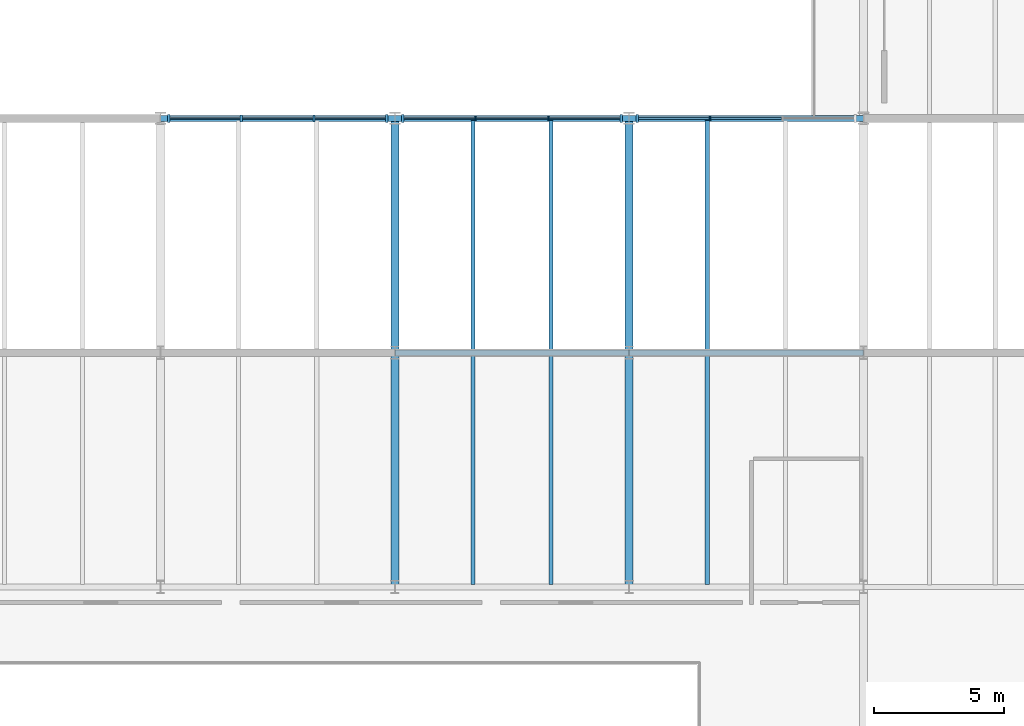
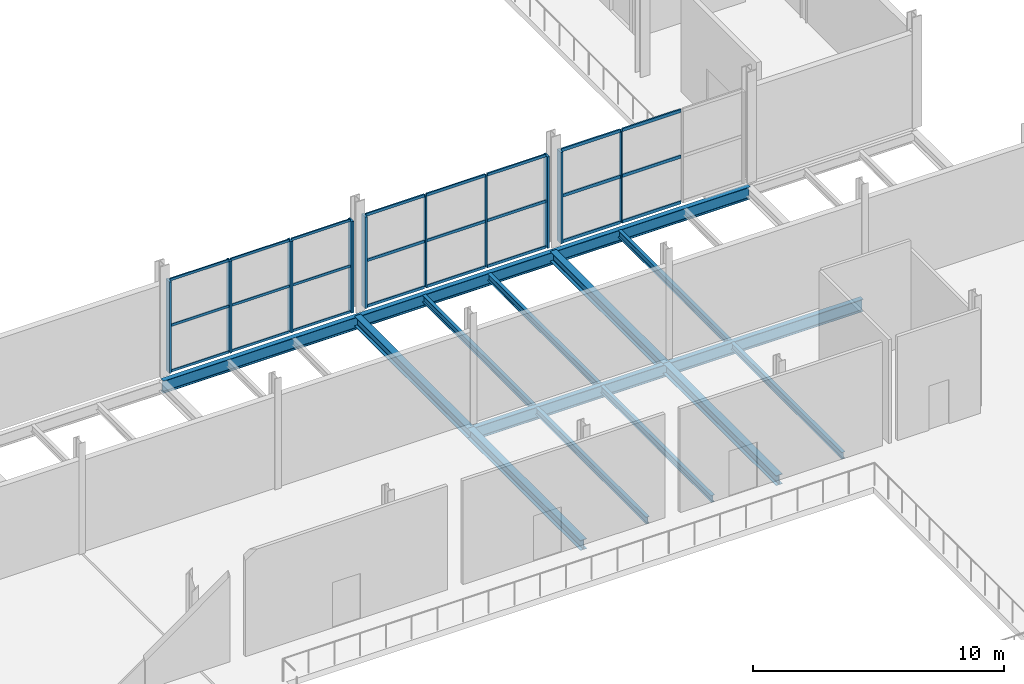
# One storey, part 35 of 78: 34 members, 15 beams, 3 elements without a shape of their own.
"""IFC4 building model written with IfcOpenShell, lengths in metres."""

from ifc_helpers import new_model, si_unit, direction, frame, origin, origin_2d, place, context, subcontext, project, spatial, rectangle, i_section, extrude, material, layer, layer_set, material_profile, profile_set, type_object, element, aggregate, save


model = new_model("IFC4")

# Units and contexts
model_context = context("Model", 3, precision=1e-05, world=origin(), true_north=direction((0.0, 1.0)))
body_context = subcontext(model_context, "Body", "Model", "MODEL_VIEW")
ifc_project = project(units=[si_unit("LENGTHUNIT", "METRE"), si_unit("AREAUNIT", "SQUARE_METRE"), si_unit("VOLUMEUNIT", "CUBIC_METRE"), si_unit("PLANEANGLEUNIT", "RADIAN"), si_unit("MASSUNIT", "GRAM", prefix="KILO")], contexts=[model_context])

# Site, building, storey
site_placement = place(None, origin())
site = spatial("IfcSite", under=ifc_project, at=site_placement, CompositionType="ELEMENT")
building_placement = place(site_placement, origin())
building = spatial("IfcBuilding", under=site, at=building_placement, Name="Sefraquen Railside Congress Hotel", CompositionType="ELEMENT")
storey_placement = place(building_placement, frame((0.0, 0.0, 6.0)))
storey = spatial("IfcBuildingStorey", under=building, at=storey_placement, Name="L01", CompositionType="ELEMENT", Elevation=6.0)

# Beams
ifc_material_1 = material(Name="Steel S355JR", Category="steel")
ifc_material_profile_1 = material_profile(ifc_material_1, i_section(OverallWidth=0.300048828125, OverallDepth=0.489990234375, WebThickness=0.011962890625, FlangeThickness=0.02294921875, FilletRadius=0.027099609375, at=origin_2d()), Name="HEA 500")
ifc_profile_set_1 = profile_set([ifc_material_profile_1], Name="Steel S355JR")
beam_type_1 = type_object("IfcBeamType", Name="TB-GIR-500", PredefinedType="T_BEAM", material=ifc_profile_set_1)
for number, where, z_axis, x_axis, name in (
    (1, (146.39990234375, 36.0, -0.544921875), (0.0, 1.0, 0.0), (-1.0, 0.0, 0.0), "Floor beam BM-L01-0650"),
    (2, (146.39990234375, 45.0, -0.544921875), (0.0, 1.0, 0.0), (-1.0, 0.0, 0.0), "Floor beam BM-L01-0651"),
    (3, (155.39990234375, 36.0, -0.544921875), (0.0, 1.0, 0.0), (-1.0, 0.0, 0.0), "Floor beam BM-L01-0653"),
    (4, (155.39990234375, 45.0, -0.544921875), (0.0, 1.0, 0.0), (-1.0, 0.0, 0.0), "Floor beam BM-L01-0654"),
):
    element("IfcBeam", number, at=place(storey_placement, frame(where, z_axis=z_axis, x_axis=x_axis)), inside=storey, type_object=beam_type_1, Name=name, PredefinedType="T_BEAM", context=body_context, shape_type="SweptSolid", body=[
        extrude(i_section(OverallWidth=0.300048828125, OverallDepth=0.489990234375, WebThickness=0.011962890625, FlangeThickness=0.02294921875, FilletRadius=0.027099609375, at=origin_2d()), origin(), (0.0, 0.0, 1.0), 9.0),
    ])
ifc_material_profile_2 = material_profile(ifc_material_1, i_section(OverallWidth=0.219970703125, OverallDepth=0.60009765625, WebThickness=0.011962890625, FlangeThickness=0.01904296875, FilletRadius=0.02392578125, at=origin_2d()), Name="IPE 600")
ifc_profile_set_2 = profile_set([ifc_material_profile_2], Name="Steel S355JR")
beam_type_2 = type_object("IfcBeamType", Name="TB-GIR-600", PredefinedType="T_BEAM", material=ifc_profile_set_2)
for number, where, z_axis, x_axis, name in (
    (5, (146.39990234375, 45.0, -0.60009765625), (1.0, 0.0, 0.0), (0.0, 1.0, 0.0), "Primary girder BM-L01-0389"),
    (6, (155.39990234375, 45.0, -0.60009765625), (1.0, 0.0, 0.0), (0.0, 1.0, 0.0), "Primary girder BM-L01-0390"),
    (7, (137.39990234375, 54.0, -0.60009765625), (1.0, 0.0, 0.0), (0.0, 1.0, 0.0), "Primary girder BM-L01-0406"),
    (8, (146.39990234375, 54.0, -0.60009765625), (1.0, 0.0, 0.0), (0.0, 1.0, 0.0), "Primary girder BM-L01-0407"),
    (9, (155.39990234375, 54.0, -0.60009765625), (1.0, 0.0, 0.0), (0.0, 1.0, 0.0), "Primary girder BM-L01-0408"),
):
    element("IfcBeam", number, at=place(storey_placement, frame(where, z_axis=z_axis, x_axis=x_axis)), inside=storey, type_object=beam_type_2, Name=name, PredefinedType="T_BEAM", context=body_context, shape_type="SweptSolid", body=[
        extrude(i_section(OverallWidth=0.219970703125, OverallDepth=0.60009765625, WebThickness=0.011962890625, FlangeThickness=0.01904296875, FilletRadius=0.02392578125, at=origin_2d()), origin(), (0.0, 0.0, 1.0), 9.0),
    ])
ifc_material_profile_3 = material_profile(ifc_material_1, i_section(OverallWidth=0.159912109375, OverallDepth=0.330078125, WebThickness=0.007568359375, FlangeThickness=0.011474609375, FilletRadius=0.01806640625, at=origin_2d()), Name="IPE 330")
ifc_profile_set_3 = profile_set([ifc_material_profile_3], Name="Steel S355JR")
beam_type_3 = type_object("IfcBeamType", Name="TB-JST-330", PredefinedType="JOIST", material=ifc_profile_set_3)
for number, where, z_axis, x_axis, name in (
    (10, (149.39990234375, 36.090087890625, -0.465087890625), (0.0, 1.0, 0.0), (-1.0, 0.0, 0.0), "Composite floor joist BM-L01-J0404"),
    (11, (152.39990234375, 36.090087890625, -0.465087890625), (0.0, 1.0, 0.0), (-1.0, 0.0, 0.0), "Composite floor joist BM-L01-J0405"),
    (12, (149.39990234375, 45.090087890625, -0.465087890625), (0.0, 1.0, 0.0), (-1.0, 0.0, 0.0), "Composite floor joist BM-L01-J0406"),
    (13, (152.39990234375, 45.090087890625, -0.465087890625), (0.0, 1.0, 0.0), (-1.0, 0.0, 0.0), "Composite floor joist BM-L01-J0407"),
    (14, (158.39990234375, 36.090087890625, -0.465087890625), (0.0, 1.0, 0.0), (-1.0, 0.0, 0.0), "Composite floor joist BM-L01-J0410"),
    (15, (158.39990234375, 45.090087890625, -0.465087890625), (0.0, 1.0, 0.0), (-1.0, 0.0, 0.0), "Composite floor joist BM-L01-J0412"),
):
    element("IfcBeam", number, at=place(storey_placement, frame(where, z_axis=z_axis, x_axis=x_axis)), inside=storey, type_object=beam_type_3, Name=name, PredefinedType="JOIST", context=body_context, shape_type="SweptSolid", body=[
        extrude(i_section(OverallWidth=0.159912109375, OverallDepth=0.330078125, WebThickness=0.007568359375, FlangeThickness=0.011474609375, FilletRadius=0.01806640625, at=origin_2d()), origin(), (0.0, 0.0, 1.0), 8.81982421875),
    ])

# Curtain wall, members
ifc_material_2 = material(Name="Thermally broken anodised aluminium and low-E double glazing", Category="aluminium")
ifc_layer_1 = layer(ifc_material_2, 0.199951171875)
ifc_layer_set_1 = layer_set([ifc_layer_1], Name="Thermally broken anodised aluminium and low-E double glazing")
curtain_wall_type_1 = type_object("IfcCurtainWallType", Name="TCW-UCW-18", PredefinedType="USERDEFINED", material=ifc_layer_set_1)
curtain_wall_1_placement = place(storey_placement, origin())
curtain_wall_1 = element("IfcCurtainWall", 16, at=curtain_wall_1_placement, inside=storey, type_object=curtain_wall_type_1, Name="Grand Ballroom L01 south curtain wall 3", ObjectType="UNITISED CURTAIN WALL", PredefinedType="USERDEFINED")
ifc_material_3 = material(Name="Thermally broken anodised aluminium 6063-T6", Category="aluminium")
ifc_material_profile_4 = material_profile(ifc_material_3, rectangle(XDim=0.06005859375, YDim=0.159912109375, at=origin_2d()), Name="CWM 60x160")
ifc_profile_set_4 = profile_set([ifc_material_profile_4], Name="Thermally broken anodised aluminium 6063-T6")
member_type_1 = type_object("IfcMemberType", Name="TM-CWM-01", PredefinedType="MULLION", material=ifc_profile_set_4)
member_1_placement = place(storey_placement, frame((149.50341796875, 54.0, 0.0), z_axis=(0.0, 0.0, 1.0), x_axis=(1.0, 0.0, 0.0)))
member_1 = element("IfcMember", 17, at=member_1_placement, type_object=member_type_1, Name="CW-L01-050 mullion 2", PredefinedType="MULLION", context=body_context, shape_type="SweptSolid", body=[
    extrude(rectangle(XDim=0.06005859375, YDim=0.159912109375, at=origin_2d()), origin(), (0.0, 0.0, 1.0), 4.449951171875),
])
member_2_placement = place(storey_placement, frame((152.296630859375, 54.0, 0.0), z_axis=(0.0, 0.0, 1.0), x_axis=(1.0, 0.0, 0.0)))
member_2 = element("IfcMember", 18, at=member_2_placement, type_object=member_type_1, Name="CW-L01-050 mullion 3", PredefinedType="MULLION", context=body_context, shape_type="SweptSolid", body=[
    extrude(rectangle(XDim=0.06005859375, YDim=0.159912109375, at=origin_2d()), origin(), (0.0, 0.0, 1.0), 4.449951171875),
])

# Curtain wall, member
ifc_layer_2 = layer(ifc_material_2, 0.199951171875)
ifc_layer_set_2 = layer_set([ifc_layer_2], Name="Thermally broken anodised aluminium and low-E double glazing")
curtain_wall_type_2 = type_object("IfcCurtainWallType", Name="TCW-UCW-19", PredefinedType="USERDEFINED", material=ifc_layer_set_2)
curtain_wall_2_placement = place(storey_placement, origin())
curtain_wall_2 = element("IfcCurtainWall", 19, at=curtain_wall_2_placement, inside=storey, type_object=curtain_wall_type_2, Name="Grand Ballroom L01 south curtain wall 4", ObjectType="UNITISED CURTAIN WALL", PredefinedType="USERDEFINED")
ifc_material_profile_5 = material_profile(ifc_material_3, rectangle(XDim=0.06494140625, YDim=0.179931640625, at=origin_2d()), Name="CWM 65x180")
ifc_profile_set_5 = profile_set([ifc_material_profile_5], Name="Thermally broken anodised aluminium 6063-T6")
member_type_2 = type_object("IfcMemberType", Name="TM-CWM-02", PredefinedType="MULLION", material=ifc_profile_set_5)
member_3_placement = place(storey_placement, frame((158.50341796875, 54.0, 0.0), z_axis=(0.0, 0.0, 1.0), x_axis=(1.0, 0.0, 0.0)))
member_3 = element("IfcMember", 20, at=member_3_placement, type_object=member_type_2, Name="CW-L01-051 mullion 2", PredefinedType="MULLION", context=body_context, shape_type="SweptSolid", body=[
    extrude(rectangle(XDim=0.06494140625, YDim=0.179931640625, at=origin_2d()), origin(), (0.0, 0.0, 1.0), 4.449951171875),
])

# Curtain wall, members
ifc_layer_3 = layer(ifc_material_2, 0.199951171875)
ifc_layer_set_3 = layer_set([ifc_layer_3], Name="Thermally broken anodised aluminium and low-E double glazing")
curtain_wall_type_3 = type_object("IfcCurtainWallType", Name="TCW-UCW-17", PredefinedType="USERDEFINED", material=ifc_layer_set_3)
curtain_wall_3_placement = place(storey_placement, origin())
curtain_wall_3 = element("IfcCurtainWall", 21, at=curtain_wall_3_placement, inside=storey, type_object=curtain_wall_type_3, Name="Grand Ballroom L01 south curtain wall 2", ObjectType="UNITISED CURTAIN WALL", PredefinedType="USERDEFINED")
ifc_material_profile_6 = material_profile(ifc_material_3, rectangle(XDim=0.090087890625, YDim=0.280029296875, at=origin_2d()), Name="CWM 90x280")
ifc_profile_set_6 = profile_set([ifc_material_profile_6], Name="Thermally broken anodised aluminium 6063-T6")
member_type_3 = type_object("IfcMemberType", Name="TM-CWM-07", PredefinedType="MULLION", material=ifc_profile_set_6)
member_4_placement = place(storey_placement, frame((140.50341796875, 54.0, 0.0), z_axis=(0.0, 0.0, 1.0), x_axis=(1.0, 0.0, 0.0)))
member_4 = element("IfcMember", 22, at=member_4_placement, type_object=member_type_3, Name="CW-L01-049 mullion 2", PredefinedType="MULLION", context=body_context, shape_type="SweptSolid", body=[
    extrude(rectangle(XDim=0.090087890625, YDim=0.280029296875, at=origin_2d()), origin(), (0.0, 0.0, 1.0), 4.449951171875),
])
member_5_placement = place(storey_placement, frame((143.296630859375, 54.0, 0.0), z_axis=(0.0, 0.0, 1.0), x_axis=(1.0, 0.0, 0.0)))
member_5 = element("IfcMember", 23, at=member_5_placement, type_object=member_type_3, Name="CW-L01-049 mullion 3", PredefinedType="MULLION", context=body_context, shape_type="SweptSolid", body=[
    extrude(rectangle(XDim=0.090087890625, YDim=0.280029296875, at=origin_2d()), origin(), (0.0, 0.0, 1.0), 4.449951171875),
])
ifc_material_profile_7 = material_profile(ifc_material_3, rectangle(XDim=0.094970703125, YDim=0.300048828125, at=origin_2d()), Name="CWM 95x300")
ifc_profile_set_7 = profile_set([ifc_material_profile_7], Name="Thermally broken anodised aluminium 6063-T6")
member_type_4 = type_object("IfcMemberType", Name="TM-CWM-08", PredefinedType="MULLION", material=ifc_profile_set_7)
member_6_placement = place(storey_placement, frame((137.7099609375, 54.0, 0.0), z_axis=(0.0, 0.0, 1.0), x_axis=(1.0, 0.0, 0.0)))
member_6 = element("IfcMember", 24, at=member_6_placement, type_object=member_type_4, Name="CW-L01-049 mullion 1", PredefinedType="MULLION", context=body_context, shape_type="SweptSolid", body=[
    extrude(rectangle(XDim=0.094970703125, YDim=0.300048828125, at=origin_2d()), origin(), (0.0, 0.0, 1.0), 4.449951171875),
])
member_7_placement = place(storey_placement, frame((146.090087890625, 54.0, 0.0), z_axis=(0.0, 0.0, 1.0), x_axis=(1.0, 0.0, 0.0)))
member_7 = element("IfcMember", 25, at=member_7_placement, type_object=member_type_4, Name="CW-L01-049 mullion 4", PredefinedType="MULLION", context=body_context, shape_type="SweptSolid", body=[
    extrude(rectangle(XDim=0.094970703125, YDim=0.300048828125, at=origin_2d()), origin(), (0.0, 0.0, 1.0), 4.449951171875),
])

# Member
member_8_placement = place(storey_placement, frame((146.7099609375, 54.0, 0.0), z_axis=(0.0, 0.0, 1.0), x_axis=(1.0, 0.0, 0.0)))
member_8 = element("IfcMember", 26, at=member_8_placement, type_object=member_type_4, Name="CW-L01-050 mullion 1", PredefinedType="MULLION", context=body_context, shape_type="SweptSolid", body=[
    extrude(rectangle(XDim=0.094970703125, YDim=0.300048828125, at=origin_2d()), origin(), (0.0, 0.0, 1.0), 4.449951171875),
])

member_9_placement = place(storey_placement, frame((155.090087890625, 54.0, 0.0), z_axis=(0.0, 0.0, 1.0), x_axis=(1.0, 0.0, 0.0)))
member_9 = element("IfcMember", 27, at=member_9_placement, type_object=member_type_4, Name="CW-L01-050 mullion 4", PredefinedType="MULLION", context=body_context, shape_type="SweptSolid", body=[
    extrude(rectangle(XDim=0.094970703125, YDim=0.300048828125, at=origin_2d()), origin(), (0.0, 0.0, 1.0), 4.449951171875),
])

member_10_placement = place(storey_placement, frame((155.7099609375, 54.0, 0.0), z_axis=(0.0, 0.0, 1.0), x_axis=(1.0, 0.0, 0.0)))
member_10 = element("IfcMember", 28, at=member_10_placement, type_object=member_type_4, Name="CW-L01-051 mullion 1", PredefinedType="MULLION", context=body_context, shape_type="SweptSolid", body=[
    extrude(rectangle(XDim=0.094970703125, YDim=0.300048828125, at=origin_2d()), origin(), (0.0, 0.0, 1.0), 4.449951171875),
])

ifc_material_profile_8 = material_profile(ifc_material_3, rectangle(XDim=0.06005859375, YDim=0.1201171875, at=origin_2d()), Name="CWT 60x120")
ifc_profile_set_8 = profile_set([ifc_material_profile_8], Name="Thermally broken anodised aluminium 6063-T6")
member_type_5 = type_object("IfcMemberType", Name="TM-CWT-01", PredefinedType="USERDEFINED", material=ifc_profile_set_8)
member_11_placement = place(storey_placement, frame((137.7548828125, 54.0, 0.0), z_axis=(1.0, 0.0, 0.0), x_axis=(0.0, 1.0, 0.0)))
member_11 = element("IfcMember", 29, at=member_11_placement, type_object=member_type_5, Name="CW-L01-049 transom 1.1", ObjectType="TRANSOM", PredefinedType="USERDEFINED", context=body_context, shape_type="SweptSolid", body=[
    extrude(rectangle(XDim=0.06005859375, YDim=0.1201171875, at=origin_2d()), origin(), (0.0, 0.0, 1.0), 2.703369140625),
])

member_12_placement = place(storey_placement, frame((140.54833984375, 54.0, 0.0), z_axis=(1.0, 0.0, 0.0), x_axis=(0.0, 1.0, 0.0)))
member_12 = element("IfcMember", 30, at=member_12_placement, type_object=member_type_5, Name="CW-L01-049 transom 1.2", ObjectType="TRANSOM", PredefinedType="USERDEFINED", context=body_context, shape_type="SweptSolid", body=[
    extrude(rectangle(XDim=0.06005859375, YDim=0.1201171875, at=origin_2d()), origin(), (0.0, 0.0, 1.0), 2.703369140625),
])

member_13_placement = place(storey_placement, frame((143.341796875, 54.0, 0.0), z_axis=(1.0, 0.0, 0.0), x_axis=(0.0, 1.0, 0.0)))
member_13 = element("IfcMember", 31, at=member_13_placement, type_object=member_type_5, Name="CW-L01-049 transom 1.3", ObjectType="TRANSOM", PredefinedType="USERDEFINED", context=body_context, shape_type="SweptSolid", body=[
    extrude(rectangle(XDim=0.06005859375, YDim=0.1201171875, at=origin_2d()), origin(), (0.0, 0.0, 1.0), 2.703125),
])

member_14_placement = place(storey_placement, frame((137.7548828125, 54.0, 2.22509765625), z_axis=(1.0, 0.0, 0.0), x_axis=(0.0, 1.0, 0.0)))
member_14 = element("IfcMember", 32, at=member_14_placement, type_object=member_type_5, Name="CW-L01-049 transom 2.1", ObjectType="TRANSOM", PredefinedType="USERDEFINED", context=body_context, shape_type="SweptSolid", body=[
    extrude(rectangle(XDim=0.06005859375, YDim=0.1201171875, at=origin_2d()), origin(), (0.0, 0.0, 1.0), 2.703369140625),
])

member_15_placement = place(storey_placement, frame((140.54833984375, 54.0, 2.22509765625), z_axis=(1.0, 0.0, 0.0), x_axis=(0.0, 1.0, 0.0)))
member_15 = element("IfcMember", 33, at=member_15_placement, type_object=member_type_5, Name="CW-L01-049 transom 2.2", ObjectType="TRANSOM", PredefinedType="USERDEFINED", context=body_context, shape_type="SweptSolid", body=[
    extrude(rectangle(XDim=0.06005859375, YDim=0.1201171875, at=origin_2d()), origin(), (0.0, 0.0, 1.0), 2.703369140625),
])

member_16_placement = place(storey_placement, frame((143.341796875, 54.0, 2.22509765625), z_axis=(1.0, 0.0, 0.0), x_axis=(0.0, 1.0, 0.0)))
member_16 = element("IfcMember", 34, at=member_16_placement, type_object=member_type_5, Name="CW-L01-049 transom 2.3", ObjectType="TRANSOM", PredefinedType="USERDEFINED", context=body_context, shape_type="SweptSolid", body=[
    extrude(rectangle(XDim=0.06005859375, YDim=0.1201171875, at=origin_2d()), origin(), (0.0, 0.0, 1.0), 2.703125),
])

member_17_placement = place(storey_placement, frame((137.7548828125, 54.0, 4.449951171875), z_axis=(1.0, 0.0, 0.0), x_axis=(0.0, 1.0, 0.0)))
member_17 = element("IfcMember", 35, at=member_17_placement, type_object=member_type_5, Name="CW-L01-049 transom 3.1", ObjectType="TRANSOM", PredefinedType="USERDEFINED", context=body_context, shape_type="SweptSolid", body=[
    extrude(rectangle(XDim=0.06005859375, YDim=0.1201171875, at=origin_2d()), origin(), (0.0, 0.0, 1.0), 2.703369140625),
])

member_18_placement = place(storey_placement, frame((140.54833984375, 54.0, 4.449951171875), z_axis=(1.0, 0.0, 0.0), x_axis=(0.0, 1.0, 0.0)))
member_18 = element("IfcMember", 36, at=member_18_placement, type_object=member_type_5, Name="CW-L01-049 transom 3.2", ObjectType="TRANSOM", PredefinedType="USERDEFINED", context=body_context, shape_type="SweptSolid", body=[
    extrude(rectangle(XDim=0.06005859375, YDim=0.1201171875, at=origin_2d()), origin(), (0.0, 0.0, 1.0), 2.703369140625),
])

member_19_placement = place(storey_placement, frame((143.341796875, 54.0, 4.449951171875), z_axis=(1.0, 0.0, 0.0), x_axis=(0.0, 1.0, 0.0)))
member_19 = element("IfcMember", 37, at=member_19_placement, type_object=member_type_5, Name="CW-L01-049 transom 3.3", ObjectType="TRANSOM", PredefinedType="USERDEFINED", context=body_context, shape_type="SweptSolid", body=[
    extrude(rectangle(XDim=0.06005859375, YDim=0.1201171875, at=origin_2d()), origin(), (0.0, 0.0, 1.0), 2.703125),
])

aggregate(curtain_wall_3, [member_6, member_4, member_5, member_7, member_11, member_12, member_13, member_14, member_15, member_16, member_17, member_18, member_19])

ifc_material_profile_9 = material_profile(ifc_material_3, rectangle(XDim=0.06494140625, YDim=0.135009765625, at=origin_2d()), Name="CWT 65x135")
ifc_profile_set_9 = profile_set([ifc_material_profile_9], Name="Thermally broken anodised aluminium 6063-T6")
member_type_6 = type_object("IfcMemberType", Name="TM-CWT-02", PredefinedType="USERDEFINED", material=ifc_profile_set_9)
member_20_placement = place(storey_placement, frame((146.7548828125, 54.0, 0.0), z_axis=(1.0, 0.0, 0.0), x_axis=(0.0, 1.0, 0.0)))
member_20 = element("IfcMember", 38, at=member_20_placement, type_object=member_type_6, Name="CW-L01-050 transom 1.1", ObjectType="TRANSOM", PredefinedType="USERDEFINED", context=body_context, shape_type="SweptSolid", body=[
    extrude(rectangle(XDim=0.06494140625, YDim=0.135009765625, at=origin_2d()), origin(), (0.0, 0.0, 1.0), 2.703369140625),
])

member_21_placement = place(storey_placement, frame((149.54833984375, 54.0, 0.0), z_axis=(1.0, 0.0, 0.0), x_axis=(0.0, 1.0, 0.0)))
member_21 = element("IfcMember", 39, at=member_21_placement, type_object=member_type_6, Name="CW-L01-050 transom 1.2", ObjectType="TRANSOM", PredefinedType="USERDEFINED", context=body_context, shape_type="SweptSolid", body=[
    extrude(rectangle(XDim=0.06494140625, YDim=0.135009765625, at=origin_2d()), origin(), (0.0, 0.0, 1.0), 2.703369140625),
])

member_22_placement = place(storey_placement, frame((152.341796875, 54.0, 0.0), z_axis=(1.0, 0.0, 0.0), x_axis=(0.0, 1.0, 0.0)))
member_22 = element("IfcMember", 40, at=member_22_placement, type_object=member_type_6, Name="CW-L01-050 transom 1.3", ObjectType="TRANSOM", PredefinedType="USERDEFINED", context=body_context, shape_type="SweptSolid", body=[
    extrude(rectangle(XDim=0.06494140625, YDim=0.135009765625, at=origin_2d()), origin(), (0.0, 0.0, 1.0), 2.703125),
])

member_23_placement = place(storey_placement, frame((146.7548828125, 54.0, 2.22509765625), z_axis=(1.0, 0.0, 0.0), x_axis=(0.0, 1.0, 0.0)))
member_23 = element("IfcMember", 41, at=member_23_placement, type_object=member_type_6, Name="CW-L01-050 transom 2.1", ObjectType="TRANSOM", PredefinedType="USERDEFINED", context=body_context, shape_type="SweptSolid", body=[
    extrude(rectangle(XDim=0.06494140625, YDim=0.135009765625, at=origin_2d()), origin(), (0.0, 0.0, 1.0), 2.703369140625),
])

member_24_placement = place(storey_placement, frame((149.54833984375, 54.0, 2.22509765625), z_axis=(1.0, 0.0, 0.0), x_axis=(0.0, 1.0, 0.0)))
member_24 = element("IfcMember", 42, at=member_24_placement, type_object=member_type_6, Name="CW-L01-050 transom 2.2", ObjectType="TRANSOM", PredefinedType="USERDEFINED", context=body_context, shape_type="SweptSolid", body=[
    extrude(rectangle(XDim=0.06494140625, YDim=0.135009765625, at=origin_2d()), origin(), (0.0, 0.0, 1.0), 2.703369140625),
])

member_25_placement = place(storey_placement, frame((152.341796875, 54.0, 2.22509765625), z_axis=(1.0, 0.0, 0.0), x_axis=(0.0, 1.0, 0.0)))
member_25 = element("IfcMember", 43, at=member_25_placement, type_object=member_type_6, Name="CW-L01-050 transom 2.3", ObjectType="TRANSOM", PredefinedType="USERDEFINED", context=body_context, shape_type="SweptSolid", body=[
    extrude(rectangle(XDim=0.06494140625, YDim=0.135009765625, at=origin_2d()), origin(), (0.0, 0.0, 1.0), 2.703125),
])

member_26_placement = place(storey_placement, frame((146.7548828125, 54.0, 4.449951171875), z_axis=(1.0, 0.0, 0.0), x_axis=(0.0, 1.0, 0.0)))
member_26 = element("IfcMember", 44, at=member_26_placement, type_object=member_type_6, Name="CW-L01-050 transom 3.1", ObjectType="TRANSOM", PredefinedType="USERDEFINED", context=body_context, shape_type="SweptSolid", body=[
    extrude(rectangle(XDim=0.06494140625, YDim=0.135009765625, at=origin_2d()), origin(), (0.0, 0.0, 1.0), 2.703369140625),
])

member_27_placement = place(storey_placement, frame((149.54833984375, 54.0, 4.449951171875), z_axis=(1.0, 0.0, 0.0), x_axis=(0.0, 1.0, 0.0)))
member_27 = element("IfcMember", 45, at=member_27_placement, type_object=member_type_6, Name="CW-L01-050 transom 3.2", ObjectType="TRANSOM", PredefinedType="USERDEFINED", context=body_context, shape_type="SweptSolid", body=[
    extrude(rectangle(XDim=0.06494140625, YDim=0.135009765625, at=origin_2d()), origin(), (0.0, 0.0, 1.0), 2.703369140625),
])

member_28_placement = place(storey_placement, frame((152.341796875, 54.0, 4.449951171875), z_axis=(1.0, 0.0, 0.0), x_axis=(0.0, 1.0, 0.0)))
member_28 = element("IfcMember", 46, at=member_28_placement, type_object=member_type_6, Name="CW-L01-050 transom 3.3", ObjectType="TRANSOM", PredefinedType="USERDEFINED", context=body_context, shape_type="SweptSolid", body=[
    extrude(rectangle(XDim=0.06494140625, YDim=0.135009765625, at=origin_2d()), origin(), (0.0, 0.0, 1.0), 2.703125),
])

aggregate(curtain_wall_1, [member_8, member_1, member_2, member_9, member_20, member_21, member_22, member_23, member_24, member_25, member_26, member_27, member_28])

ifc_material_profile_10 = material_profile(ifc_material_3, rectangle(XDim=0.070068359375, YDim=0.14990234375, at=origin_2d()), Name="CWT 70x150")
ifc_profile_set_10 = profile_set([ifc_material_profile_10], Name="Thermally broken anodised aluminium 6063-T6")
member_type_7 = type_object("IfcMemberType", Name="TM-CWT-03", PredefinedType="USERDEFINED", material=ifc_profile_set_10)
member_29_placement = place(storey_placement, frame((155.7548828125, 54.0, 0.0), z_axis=(1.0, 0.0, 0.0), x_axis=(0.0, 1.0, 0.0)))
member_29 = element("IfcMember", 47, at=member_29_placement, type_object=member_type_7, Name="CW-L01-051 transom 1.1", ObjectType="TRANSOM", PredefinedType="USERDEFINED", context=body_context, shape_type="SweptSolid", body=[
    extrude(rectangle(XDim=0.070068359375, YDim=0.14990234375, at=origin_2d()), origin(), (0.0, 0.0, 1.0), 2.703369140625),
])

member_30_placement = place(storey_placement, frame((158.54833984375, 54.0, 0.0), z_axis=(1.0, 0.0, 0.0), x_axis=(0.0, 1.0, 0.0)))
member_30 = element("IfcMember", 48, at=member_30_placement, type_object=member_type_7, Name="CW-L01-051 transom 1.2", ObjectType="TRANSOM", PredefinedType="USERDEFINED", context=body_context, shape_type="SweptSolid", body=[
    extrude(rectangle(XDim=0.070068359375, YDim=0.14990234375, at=origin_2d()), origin(), (0.0, 0.0, 1.0), 2.703369140625),
])

member_31_placement = place(storey_placement, frame((155.7548828125, 54.0, 2.22509765625), z_axis=(1.0, 0.0, 0.0), x_axis=(0.0, 1.0, 0.0)))
member_31 = element("IfcMember", 49, at=member_31_placement, type_object=member_type_7, Name="CW-L01-051 transom 2.1", ObjectType="TRANSOM", PredefinedType="USERDEFINED", context=body_context, shape_type="SweptSolid", body=[
    extrude(rectangle(XDim=0.070068359375, YDim=0.14990234375, at=origin_2d()), origin(), (0.0, 0.0, 1.0), 2.703369140625),
])

member_32_placement = place(storey_placement, frame((158.54833984375, 54.0, 2.22509765625), z_axis=(1.0, 0.0, 0.0), x_axis=(0.0, 1.0, 0.0)))
member_32 = element("IfcMember", 50, at=member_32_placement, type_object=member_type_7, Name="CW-L01-051 transom 2.2", ObjectType="TRANSOM", PredefinedType="USERDEFINED", context=body_context, shape_type="SweptSolid", body=[
    extrude(rectangle(XDim=0.070068359375, YDim=0.14990234375, at=origin_2d()), origin(), (0.0, 0.0, 1.0), 2.703369140625),
])

member_33_placement = place(storey_placement, frame((155.7548828125, 54.0, 4.449951171875), z_axis=(1.0, 0.0, 0.0), x_axis=(0.0, 1.0, 0.0)))
member_33 = element("IfcMember", 51, at=member_33_placement, type_object=member_type_7, Name="CW-L01-051 transom 3.1", ObjectType="TRANSOM", PredefinedType="USERDEFINED", context=body_context, shape_type="SweptSolid", body=[
    extrude(rectangle(XDim=0.070068359375, YDim=0.14990234375, at=origin_2d()), origin(), (0.0, 0.0, 1.0), 2.703369140625),
])

member_34_placement = place(storey_placement, frame((158.54833984375, 54.0, 4.449951171875), z_axis=(1.0, 0.0, 0.0), x_axis=(0.0, 1.0, 0.0)))
member_34 = element("IfcMember", 52, at=member_34_placement, type_object=member_type_7, Name="CW-L01-051 transom 3.2", ObjectType="TRANSOM", PredefinedType="USERDEFINED", context=body_context, shape_type="SweptSolid", body=[
    extrude(rectangle(XDim=0.070068359375, YDim=0.14990234375, at=origin_2d()), origin(), (0.0, 0.0, 1.0), 2.703369140625),
])

aggregate(curtain_wall_2, [member_10, member_3, member_29, member_30, member_31, member_32, member_33, member_34])

save(model, "model.ifc")
